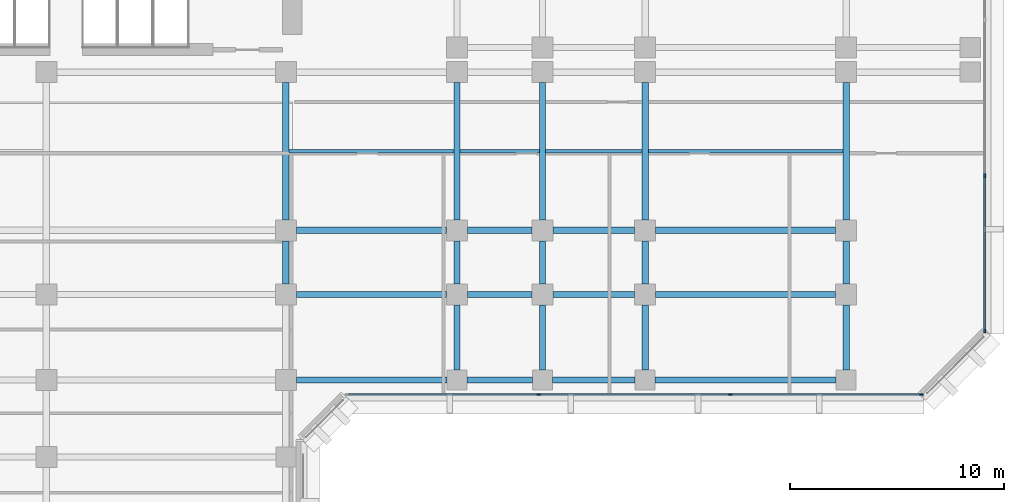
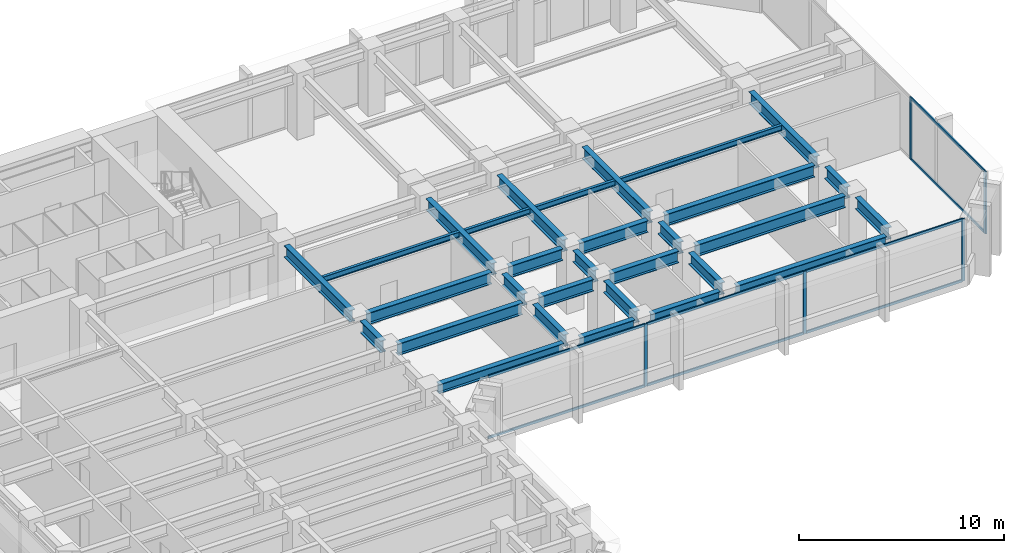
# One storey, part 3 of 13: 30 beams, 13 members, 2 elements without a shape of their own.
"""IFC4 building model written with IfcOpenShell, lengths in metres."""

from ifc_helpers import new_model, si_unit, direction, frame, origin, origin_2d, place, context, subcontext, project, spatial, rectangle, i_section, extrude, material, layer, layer_set, material_profile, profile_set, type_object, element, aggregate, save


model = new_model("IFC4")

# Units and contexts
model_context = context("Model", 3, precision=1e-05, world=origin(), true_north=direction((0.0, 1.0)))
body_context = subcontext(model_context, "Body", "Model", "MODEL_VIEW")
ifc_project = project(units=[si_unit("LENGTHUNIT", "METRE"), si_unit("AREAUNIT", "SQUARE_METRE"), si_unit("VOLUMEUNIT", "CUBIC_METRE"), si_unit("PLANEANGLEUNIT", "RADIAN"), si_unit("MASSUNIT", "GRAM", prefix="KILO")], contexts=[model_context])

# Site, building, storey
site_placement = place(None, origin())
site = spatial("IfcSite", under=ifc_project, at=site_placement, CompositionType="ELEMENT")
building_placement = place(site_placement, origin())
building = spatial("IfcBuilding", under=site, at=building_placement, Name="Kefirva Bronze Tower", CompositionType="ELEMENT")
storey_placement = place(building_placement, frame((0.0, 0.0, 85.800048828125)))
storey = spatial("IfcBuildingStorey", under=building, at=storey_placement, Name="L20", CompositionType="ELEMENT", Elevation=85.800048828125)

# Curtain wall, members
ifc_material_1 = material(Name="Bronze anodised aluminium", Category="aluminium")
ifc_layer = layer(ifc_material_1, 0.199951171875, Name="Bronze anodised aluminium")
ifc_layer_set = layer_set([ifc_layer], Name="Bronze anodised aluminium")
curtain_wall_type = type_object("IfcCurtainWallType", Name="Unitised Bronze Ribbon Curtain Wall Zone 1", PredefinedType="USERDEFINED", material=ifc_layer_set)
curtain_wall_1_placement = place(storey_placement, origin())
curtain_wall_1 = element("IfcCurtainWall", 1, at=curtain_wall_1_placement, inside=storey, type_object=curtain_wall_type, Name="L20 Curtain Wall 2", ObjectType="UNITISED CURTAIN WALL", PredefinedType="USERDEFINED")
ifc_material_profile_1 = material_profile(ifc_material_1, rectangle(XDim=0.074951171875, YDim=0.179931640625, at=origin_2d()), Name="ALU 75x180")
ifc_profile_set_1 = profile_set([ifc_material_profile_1], Name="Bronze anodised aluminium")
member_type_1 = type_object("IfcMemberType", Name="Bronze Mullion 75x180", PredefinedType="MULLION", material=ifc_profile_set_1)
member_1_placement = place(storey_placement, frame((35.018310546875, 18.1201171875, 0.0), z_axis=(0.0, 0.0, 1.0), x_axis=(0.0, 1.0, 0.0)))
member_1 = element("IfcMember", 2, at=member_1_placement, type_object=member_type_1, Name="CW-01 mullion 2", PredefinedType="MULLION", context=body_context, shape_type="SweptSolid", body=[
    extrude(rectangle(XDim=0.074951171875, YDim=0.179931640625, at=origin_2d()), origin(), (0.0, 0.0, 1.0), 3.7099609375),
])
member_2_placement = place(storey_placement, frame((43.981689453125, 18.1201171875, 0.0), z_axis=(0.0, 0.0, 1.0), x_axis=(0.0, 1.0, 0.0)))
member_2 = element("IfcMember", 3, at=member_2_placement, type_object=member_type_1, Name="CW-01 mullion 3", PredefinedType="MULLION", context=body_context, shape_type="SweptSolid", body=[
    extrude(rectangle(XDim=0.074951171875, YDim=0.179931640625, at=origin_2d()), origin(), (0.0, 0.0, 1.0), 3.7099609375),
])
member_3_placement = place(storey_placement, frame((52.907470703125, 18.1201171875, 0.0), z_axis=(0.0, 0.0, 1.0), x_axis=(0.0, 1.0, 0.0)))
member_3 = element("IfcMember", 4, at=member_3_placement, type_object=member_type_1, Name="CW-01 mullion 4", PredefinedType="MULLION", context=body_context, shape_type="SweptSolid", body=[
    extrude(rectangle(XDim=0.074951171875, YDim=0.179931640625, at=origin_2d()), origin(), (0.0, 0.0, 1.0), 3.7099609375),
])

curtain_wall_2_placement = place(storey_placement, origin())
curtain_wall_2 = element("IfcCurtainWall", 5, at=curtain_wall_2_placement, inside=storey, type_object=curtain_wall_type, Name="L20 Curtain Wall 3", ObjectType="UNITISED CURTAIN WALL", PredefinedType="USERDEFINED")
member_4_placement = place(storey_placement, frame((55.8798828125, 21.092529296875, 0.0), z_axis=(0.0, 0.0, 1.0), x_axis=(-1.0, 0.0, 0.0)))
member_4 = element("IfcMember", 6, at=member_4_placement, type_object=member_type_1, Name="CW-01 mullion 1", PredefinedType="MULLION", context=body_context, shape_type="SweptSolid", body=[
    extrude(rectangle(XDim=0.074951171875, YDim=0.179931640625, at=origin_2d()), origin(), (0.0, 0.0, 1.0), 3.7099609375),
])
member_5_placement = place(storey_placement, frame((55.8798828125, 28.3515625, 0.0), z_axis=(0.0, 0.0, 1.0), x_axis=(-1.0, 0.0, 0.0)))
member_5 = element("IfcMember", 7, at=member_5_placement, type_object=member_type_1, Name="CW-01 mullion 2", PredefinedType="MULLION", context=body_context, shape_type="SweptSolid", body=[
    extrude(rectangle(XDim=0.074951171875, YDim=0.179931640625, at=origin_2d()), origin(), (0.0, 0.0, 1.0), 3.7099609375),
])

# Member
ifc_material_profile_2 = material_profile(ifc_material_1, rectangle(XDim=0.074951171875, YDim=0.14990234375, at=origin_2d()), Name="ALU 75x150")
ifc_profile_set_2 = profile_set([ifc_material_profile_2], Name="Bronze anodised aluminium")
member_type_2 = type_object("IfcMemberType", Name="Bronze Transom 75x150", PredefinedType="USERDEFINED", material=ifc_profile_set_2)
member_6_placement = place(storey_placement, frame((26.1298828125, 18.1201171875, 0.037353515625), z_axis=(1.0, 0.0, 0.0), x_axis=(0.0, 1.0, 0.0)))
member_6 = element("IfcMember", 8, at=member_6_placement, type_object=member_type_2, Name="CW-01 transom 1.1", ObjectType="TRANSOM", PredefinedType="USERDEFINED", context=body_context, shape_type="SweptSolid", body=[
    extrude(rectangle(XDim=0.074951171875, YDim=0.14990234375, at=origin_2d()), origin(), (0.0, 0.0, 1.0), 8.850830078125),
])

member_7_placement = place(storey_placement, frame((26.1298828125, 18.1201171875, 3.67236328125), z_axis=(1.0, 0.0, 0.0), x_axis=(0.0, 1.0, 0.0)))
member_7 = element("IfcMember", 9, at=member_7_placement, type_object=member_type_2, Name="CW-01 transom 1.2", ObjectType="TRANSOM", PredefinedType="USERDEFINED", context=body_context, shape_type="SweptSolid", body=[
    extrude(rectangle(XDim=0.074951171875, YDim=0.14990234375, at=origin_2d()), origin(), (0.0, 0.0, 1.0), 8.850830078125),
])

member_8_placement = place(storey_placement, frame((35.055908203125, 18.1201171875, 0.037353515625), z_axis=(1.0, 0.0, 0.0), x_axis=(0.0, 1.0, 0.0)))
member_8 = element("IfcMember", 10, at=member_8_placement, type_object=member_type_2, Name="CW-01 transom 2.1", ObjectType="TRANSOM", PredefinedType="USERDEFINED", context=body_context, shape_type="SweptSolid", body=[
    extrude(rectangle(XDim=0.074951171875, YDim=0.14990234375, at=origin_2d()), origin(), (0.0, 0.0, 1.0), 8.88818359375),
])

member_9_placement = place(storey_placement, frame((35.055908203125, 18.1201171875, 3.67236328125), z_axis=(1.0, 0.0, 0.0), x_axis=(0.0, 1.0, 0.0)))
member_9 = element("IfcMember", 11, at=member_9_placement, type_object=member_type_2, Name="CW-01 transom 2.2", ObjectType="TRANSOM", PredefinedType="USERDEFINED", context=body_context, shape_type="SweptSolid", body=[
    extrude(rectangle(XDim=0.074951171875, YDim=0.14990234375, at=origin_2d()), origin(), (0.0, 0.0, 1.0), 8.88818359375),
])

member_10_placement = place(storey_placement, frame((44.019287109375, 18.1201171875, 0.037353515625), z_axis=(1.0, 0.0, 0.0), x_axis=(0.0, 1.0, 0.0)))
member_10 = element("IfcMember", 12, at=member_10_placement, type_object=member_type_2, Name="CW-01 transom 3.1", ObjectType="TRANSOM", PredefinedType="USERDEFINED", context=body_context, shape_type="SweptSolid", body=[
    extrude(rectangle(XDim=0.074951171875, YDim=0.14990234375, at=origin_2d()), origin(), (0.0, 0.0, 1.0), 8.850830078125),
])

member_11_placement = place(storey_placement, frame((44.019287109375, 18.1201171875, 3.67236328125), z_axis=(1.0, 0.0, 0.0), x_axis=(0.0, 1.0, 0.0)))
member_11 = element("IfcMember", 13, at=member_11_placement, type_object=member_type_2, Name="CW-01 transom 3.2", ObjectType="TRANSOM", PredefinedType="USERDEFINED", context=body_context, shape_type="SweptSolid", body=[
    extrude(rectangle(XDim=0.074951171875, YDim=0.14990234375, at=origin_2d()), origin(), (0.0, 0.0, 1.0), 8.850830078125),
])

aggregate(curtain_wall_1, [member_1, member_2, member_3, member_6, member_7, member_8, member_9, member_10, member_11])

member_12_placement = place(storey_placement, frame((55.8798828125, 21.1298828125, 0.037353515625), z_axis=(0.0, 1.0, 0.0), x_axis=(-1.0, 0.0, 0.0)))
member_12 = element("IfcMember", 14, at=member_12_placement, type_object=member_type_2, Name="CW-01 transom 1.1", ObjectType="TRANSOM", PredefinedType="USERDEFINED", context=body_context, shape_type="SweptSolid", body=[
    extrude(rectangle(XDim=0.074951171875, YDim=0.14990234375, at=origin_2d()), origin(), (0.0, 0.0, 1.0), 7.184326171875),
])

member_13_placement = place(storey_placement, frame((55.8798828125, 21.1298828125, 3.67236328125), z_axis=(0.0, 1.0, 0.0), x_axis=(-1.0, 0.0, 0.0)))
member_13 = element("IfcMember", 15, at=member_13_placement, type_object=member_type_2, Name="CW-01 transom 1.2", ObjectType="TRANSOM", PredefinedType="USERDEFINED", context=body_context, shape_type="SweptSolid", body=[
    extrude(rectangle(XDim=0.074951171875, YDim=0.14990234375, at=origin_2d()), origin(), (0.0, 0.0, 1.0), 7.184326171875),
])

aggregate(curtain_wall_2, [member_4, member_5, member_12, member_13])

# Beams
ifc_material_2 = material(Name="Steel S355", Category="steel")
ifc_material_profile_3 = material_profile(ifc_material_2, i_section(OverallWidth=0.159912109375, OverallDepth=0.330078125, WebThickness=0.007568359375, FlangeThickness=0.011474609375, at=origin_2d()), Name="IPE 330")
ifc_profile_set_3 = profile_set([ifc_material_profile_3], Name="Steel S355")
beam_type_1 = type_object("IfcBeamType", Name="Steel Floor Joist IPE 330", PredefinedType="JOIST", material=ifc_profile_set_3)
beam_1_placement = place(storey_placement, frame((23.35009765625, 29.5, 3.544921875), z_axis=(1.0, 0.0, 0.0), x_axis=(0.0, 1.0, 0.0)))
element("IfcBeam", 16, at=beam_1_placement, inside=storey, type_object=beam_type_1, Name="L20 JST-L20-23-295", PredefinedType="JOIST", context=body_context, shape_type="SweptSolid", body=[
    extrude(i_section(OverallWidth=0.159912109375, OverallDepth=0.330078125, WebThickness=0.007568359375, FlangeThickness=0.011474609375, at=origin_2d()), origin(), (0.0, 0.0, 1.0), 7.699951171875),
])
beam_2_placement = place(storey_placement, frame((31.35009765625, 29.5, 3.544921875), z_axis=(1.0, 0.0, 0.0), x_axis=(0.0, 1.0, 0.0)))
element("IfcBeam", 17, at=beam_2_placement, inside=storey, type_object=beam_type_1, Name="L20 JST-L20-31-295", PredefinedType="JOIST", context=body_context, shape_type="SweptSolid", body=[
    extrude(i_section(OverallWidth=0.159912109375, OverallDepth=0.330078125, WebThickness=0.007568359375, FlangeThickness=0.011474609375, at=origin_2d()), origin(), (0.0, 0.0, 1.0), 3.699951171875),
])
beam_3_placement = place(storey_placement, frame((35.35009765625, 29.5, 3.544921875), z_axis=(1.0, 0.0, 0.0), x_axis=(0.0, 1.0, 0.0)))
element("IfcBeam", 18, at=beam_3_placement, inside=storey, type_object=beam_type_1, Name="L20 JST-L20-35-295", PredefinedType="JOIST", context=body_context, shape_type="SweptSolid", body=[
    extrude(i_section(OverallWidth=0.159912109375, OverallDepth=0.330078125, WebThickness=0.007568359375, FlangeThickness=0.011474609375, at=origin_2d()), origin(), (0.0, 0.0, 1.0), 4.5),
])
beam_4_placement = place(storey_placement, frame((40.14990234375, 29.5, 3.544921875), z_axis=(1.0, 0.0, 0.0), x_axis=(0.0, 1.0, 0.0)))
element("IfcBeam", 19, at=beam_4_placement, inside=storey, type_object=beam_type_1, Name="L20 JST-L20-40-295", PredefinedType="JOIST", context=body_context, shape_type="SweptSolid", body=[
    extrude(i_section(OverallWidth=0.159912109375, OverallDepth=0.330078125, WebThickness=0.007568359375, FlangeThickness=0.011474609375, at=origin_2d()), origin(), (0.0, 0.0, 1.0), 9.10009765625),
])
ifc_material_profile_4 = material_profile(ifc_material_2, i_section(OverallWidth=0.300048828125, OverallDepth=0.699951171875, WebThickness=0.01708984375, FlangeThickness=0.031982421875, at=origin_2d()), Name="HEB 700")
ifc_profile_set_4 = profile_set([ifc_material_profile_4], Name="Steel S355")
beam_type_2 = type_object("IfcBeamType", Name="Steel Girder HEB 700", PredefinedType="USERDEFINED", material=ifc_profile_set_4)
beam_5_placement = place(storey_placement, frame((23.68994140625, 22.800048828125, 3.35986328125), z_axis=(1.0, 0.0, 0.0), x_axis=(0.0, 1.0, 0.0)))
element("IfcBeam", 20, at=beam_5_placement, inside=storey, type_object=beam_type_2, Name="L20 BM-L20-EW-23-228", ObjectType="GIRDER", PredefinedType="USERDEFINED", context=body_context, shape_type="SweptSolid", body=[
    extrude(i_section(OverallWidth=0.300048828125, OverallDepth=0.699951171875, WebThickness=0.01708984375, FlangeThickness=0.031982421875, at=origin_2d()), origin(), (0.0, 0.0, 1.0), 7.02001953125),
])
beam_6_placement = place(storey_placement, frame((31.68994140625, 22.800048828125, 3.35986328125), z_axis=(1.0, 0.0, 0.0), x_axis=(0.0, 1.0, 0.0)))
element("IfcBeam", 21, at=beam_6_placement, inside=storey, type_object=beam_type_2, Name="L20 BM-L20-EW-31-228", ObjectType="GIRDER", PredefinedType="USERDEFINED", context=body_context, shape_type="SweptSolid", body=[
    extrude(i_section(OverallWidth=0.300048828125, OverallDepth=0.699951171875, WebThickness=0.01708984375, FlangeThickness=0.031982421875, at=origin_2d()), origin(), (0.0, 0.0, 1.0), 3.02001953125),
])
beam_7_placement = place(storey_placement, frame((35.68994140625, 22.800048828125, 3.35986328125), z_axis=(1.0, 0.0, 0.0), x_axis=(0.0, 1.0, 0.0)))
element("IfcBeam", 22, at=beam_7_placement, inside=storey, type_object=beam_type_2, Name="L20 BM-L20-EW-35-228", ObjectType="GIRDER", PredefinedType="USERDEFINED", context=body_context, shape_type="SweptSolid", body=[
    extrude(i_section(OverallWidth=0.300048828125, OverallDepth=0.699951171875, WebThickness=0.01708984375, FlangeThickness=0.031982421875, at=origin_2d()), origin(), (0.0, 0.0, 1.0), 3.820068359375),
])
beam_8_placement = place(storey_placement, frame((40.489990234375, 22.800048828125, 3.35986328125), z_axis=(1.0, 0.0, 0.0), x_axis=(0.0, 1.0, 0.0)))
element("IfcBeam", 23, at=beam_8_placement, inside=storey, type_object=beam_type_2, Name="L20 BM-L20-EW-40-228", ObjectType="GIRDER", PredefinedType="USERDEFINED", context=body_context, shape_type="SweptSolid", body=[
    extrude(i_section(OverallWidth=0.300048828125, OverallDepth=0.699951171875, WebThickness=0.01708984375, FlangeThickness=0.031982421875, at=origin_2d()), origin(), (0.0, 0.0, 1.0), 8.419921875),
])
beam_9_placement = place(storey_placement, frame((23.68994140625, 25.800048828125, 3.35986328125), z_axis=(1.0, 0.0, 0.0), x_axis=(0.0, 1.0, 0.0)))
element("IfcBeam", 24, at=beam_9_placement, inside=storey, type_object=beam_type_2, Name="L20 BM-L20-EW-23-258", ObjectType="GIRDER", PredefinedType="USERDEFINED", context=body_context, shape_type="SweptSolid", body=[
    extrude(i_section(OverallWidth=0.300048828125, OverallDepth=0.699951171875, WebThickness=0.01708984375, FlangeThickness=0.031982421875, at=origin_2d()), origin(), (0.0, 0.0, 1.0), 7.02001953125),
])
beam_10_placement = place(storey_placement, frame((31.68994140625, 25.800048828125, 3.35986328125), z_axis=(1.0, 0.0, 0.0), x_axis=(0.0, 1.0, 0.0)))
element("IfcBeam", 25, at=beam_10_placement, inside=storey, type_object=beam_type_2, Name="L20 BM-L20-EW-31-258", ObjectType="GIRDER", PredefinedType="USERDEFINED", context=body_context, shape_type="SweptSolid", body=[
    extrude(i_section(OverallWidth=0.300048828125, OverallDepth=0.699951171875, WebThickness=0.01708984375, FlangeThickness=0.031982421875, at=origin_2d()), origin(), (0.0, 0.0, 1.0), 3.02001953125),
])
beam_11_placement = place(storey_placement, frame((35.68994140625, 25.800048828125, 3.35986328125), z_axis=(1.0, 0.0, 0.0), x_axis=(0.0, 1.0, 0.0)))
element("IfcBeam", 26, at=beam_11_placement, inside=storey, type_object=beam_type_2, Name="L20 BM-L20-EW-35-258", ObjectType="GIRDER", PredefinedType="USERDEFINED", context=body_context, shape_type="SweptSolid", body=[
    extrude(i_section(OverallWidth=0.300048828125, OverallDepth=0.699951171875, WebThickness=0.01708984375, FlangeThickness=0.031982421875, at=origin_2d()), origin(), (0.0, 0.0, 1.0), 3.820068359375),
])
beam_12_placement = place(storey_placement, frame((40.489990234375, 25.800048828125, 3.35986328125), z_axis=(1.0, 0.0, 0.0), x_axis=(0.0, 1.0, 0.0)))
element("IfcBeam", 27, at=beam_12_placement, inside=storey, type_object=beam_type_2, Name="L20 BM-L20-EW-40-258", ObjectType="GIRDER", PredefinedType="USERDEFINED", context=body_context, shape_type="SweptSolid", body=[
    extrude(i_section(OverallWidth=0.300048828125, OverallDepth=0.699951171875, WebThickness=0.01708984375, FlangeThickness=0.031982421875, at=origin_2d()), origin(), (0.0, 0.0, 1.0), 8.419921875),
])
beam_13_placement = place(storey_placement, frame((23.199951171875, 23.2900390625, 3.35986328125), z_axis=(0.0, 1.0, 0.0), x_axis=(-1.0, 0.0, 0.0)))
element("IfcBeam", 28, at=beam_13_placement, inside=storey, type_object=beam_type_2, Name="L20 BM-L20-NS-232-22", ObjectType="GIRDER", PredefinedType="USERDEFINED", context=body_context, shape_type="SweptSolid", body=[
    extrude(i_section(OverallWidth=0.300048828125, OverallDepth=0.699951171875, WebThickness=0.01708984375, FlangeThickness=0.031982421875, at=origin_2d()), origin(), (0.0, 0.0, 1.0), 2.02001953125),
])
beam_14_placement = place(storey_placement, frame((23.199951171875, 26.2900390625, 3.35986328125), z_axis=(0.0, 1.0, 0.0), x_axis=(-1.0, 0.0, 0.0)))
element("IfcBeam", 29, at=beam_14_placement, inside=storey, type_object=beam_type_2, Name="L20 BM-L20-NS-232-25", ObjectType="GIRDER", PredefinedType="USERDEFINED", context=body_context, shape_type="SweptSolid", body=[
    extrude(i_section(OverallWidth=0.300048828125, OverallDepth=0.699951171875, WebThickness=0.01708984375, FlangeThickness=0.031982421875, at=origin_2d()), origin(), (0.0, 0.0, 1.0), 6.419921875),
])
beam_15_placement = place(storey_placement, frame((31.199951171875, 19.27001953125, 3.35986328125), z_axis=(0.0, 1.0, 0.0), x_axis=(-1.0, 0.0, 0.0)))
element("IfcBeam", 30, at=beam_15_placement, inside=storey, type_object=beam_type_2, Name="L20 BM-L20-NS-312-18", ObjectType="GIRDER", PredefinedType="USERDEFINED", context=body_context, shape_type="SweptSolid", body=[
    extrude(i_section(OverallWidth=0.300048828125, OverallDepth=0.699951171875, WebThickness=0.01708984375, FlangeThickness=0.031982421875, at=origin_2d()), origin(), (0.0, 0.0, 1.0), 3.0400390625),
])
beam_16_placement = place(storey_placement, frame((31.199951171875, 23.2900390625, 3.35986328125), z_axis=(0.0, 1.0, 0.0), x_axis=(-1.0, 0.0, 0.0)))
element("IfcBeam", 31, at=beam_16_placement, inside=storey, type_object=beam_type_2, Name="L20 BM-L20-NS-312-22", ObjectType="GIRDER", PredefinedType="USERDEFINED", context=body_context, shape_type="SweptSolid", body=[
    extrude(i_section(OverallWidth=0.300048828125, OverallDepth=0.699951171875, WebThickness=0.01708984375, FlangeThickness=0.031982421875, at=origin_2d()), origin(), (0.0, 0.0, 1.0), 2.02001953125),
])
beam_17_placement = place(storey_placement, frame((31.199951171875, 26.2900390625, 3.35986328125), z_axis=(0.0, 1.0, 0.0), x_axis=(-1.0, 0.0, 0.0)))
element("IfcBeam", 32, at=beam_17_placement, inside=storey, type_object=beam_type_2, Name="L20 BM-L20-NS-312-25", ObjectType="GIRDER", PredefinedType="USERDEFINED", context=body_context, shape_type="SweptSolid", body=[
    extrude(i_section(OverallWidth=0.300048828125, OverallDepth=0.699951171875, WebThickness=0.01708984375, FlangeThickness=0.031982421875, at=origin_2d()), origin(), (0.0, 0.0, 1.0), 6.419921875),
])
beam_18_placement = place(storey_placement, frame((35.199951171875, 19.27001953125, 3.35986328125), z_axis=(0.0, 1.0, 0.0), x_axis=(-1.0, 0.0, 0.0)))
element("IfcBeam", 33, at=beam_18_placement, inside=storey, type_object=beam_type_2, Name="L20 BM-L20-NS-352-18", ObjectType="GIRDER", PredefinedType="USERDEFINED", context=body_context, shape_type="SweptSolid", body=[
    extrude(i_section(OverallWidth=0.300048828125, OverallDepth=0.699951171875, WebThickness=0.01708984375, FlangeThickness=0.031982421875, at=origin_2d()), origin(), (0.0, 0.0, 1.0), 3.0400390625),
])
beam_19_placement = place(storey_placement, frame((35.199951171875, 23.2900390625, 3.35986328125), z_axis=(0.0, 1.0, 0.0), x_axis=(-1.0, 0.0, 0.0)))
element("IfcBeam", 34, at=beam_19_placement, inside=storey, type_object=beam_type_2, Name="L20 BM-L20-NS-352-22", ObjectType="GIRDER", PredefinedType="USERDEFINED", context=body_context, shape_type="SweptSolid", body=[
    extrude(i_section(OverallWidth=0.300048828125, OverallDepth=0.699951171875, WebThickness=0.01708984375, FlangeThickness=0.031982421875, at=origin_2d()), origin(), (0.0, 0.0, 1.0), 2.02001953125),
])
beam_20_placement = place(storey_placement, frame((35.199951171875, 26.2900390625, 3.35986328125), z_axis=(0.0, 1.0, 0.0), x_axis=(-1.0, 0.0, 0.0)))
element("IfcBeam", 35, at=beam_20_placement, inside=storey, type_object=beam_type_2, Name="L20 BM-L20-NS-352-25", ObjectType="GIRDER", PredefinedType="USERDEFINED", context=body_context, shape_type="SweptSolid", body=[
    extrude(i_section(OverallWidth=0.300048828125, OverallDepth=0.699951171875, WebThickness=0.01708984375, FlangeThickness=0.031982421875, at=origin_2d()), origin(), (0.0, 0.0, 1.0), 6.419921875),
])
beam_21_placement = place(storey_placement, frame((40.0, 19.27001953125, 3.35986328125), z_axis=(0.0, 1.0, 0.0), x_axis=(-1.0, 0.0, 0.0)))
element("IfcBeam", 36, at=beam_21_placement, inside=storey, type_object=beam_type_2, Name="L20 BM-L20-NS-400-18", ObjectType="GIRDER", PredefinedType="USERDEFINED", context=body_context, shape_type="SweptSolid", body=[
    extrude(i_section(OverallWidth=0.300048828125, OverallDepth=0.699951171875, WebThickness=0.01708984375, FlangeThickness=0.031982421875, at=origin_2d()), origin(), (0.0, 0.0, 1.0), 3.0400390625),
])
beam_22_placement = place(storey_placement, frame((40.0, 23.2900390625, 3.35986328125), z_axis=(0.0, 1.0, 0.0), x_axis=(-1.0, 0.0, 0.0)))
element("IfcBeam", 37, at=beam_22_placement, inside=storey, type_object=beam_type_2, Name="L20 BM-L20-NS-400-22", ObjectType="GIRDER", PredefinedType="USERDEFINED", context=body_context, shape_type="SweptSolid", body=[
    extrude(i_section(OverallWidth=0.300048828125, OverallDepth=0.699951171875, WebThickness=0.01708984375, FlangeThickness=0.031982421875, at=origin_2d()), origin(), (0.0, 0.0, 1.0), 2.02001953125),
])
beam_23_placement = place(storey_placement, frame((40.0, 26.2900390625, 3.35986328125), z_axis=(0.0, 1.0, 0.0), x_axis=(-1.0, 0.0, 0.0)))
element("IfcBeam", 38, at=beam_23_placement, inside=storey, type_object=beam_type_2, Name="L20 BM-L20-NS-400-25", ObjectType="GIRDER", PredefinedType="USERDEFINED", context=body_context, shape_type="SweptSolid", body=[
    extrude(i_section(OverallWidth=0.300048828125, OverallDepth=0.699951171875, WebThickness=0.01708984375, FlangeThickness=0.031982421875, at=origin_2d()), origin(), (0.0, 0.0, 1.0), 6.419921875),
])
beam_24_placement = place(storey_placement, frame((49.39990234375, 19.27001953125, 3.35986328125), z_axis=(0.0, 1.0, 0.0), x_axis=(-1.0, 0.0, 0.0)))
element("IfcBeam", 39, at=beam_24_placement, inside=storey, type_object=beam_type_2, Name="L20 BM-L20-NS-494-18", ObjectType="GIRDER", PredefinedType="USERDEFINED", context=body_context, shape_type="SweptSolid", body=[
    extrude(i_section(OverallWidth=0.300048828125, OverallDepth=0.699951171875, WebThickness=0.01708984375, FlangeThickness=0.031982421875, at=origin_2d()), origin(), (0.0, 0.0, 1.0), 3.0400390625),
])
beam_25_placement = place(storey_placement, frame((49.39990234375, 23.2900390625, 3.35986328125), z_axis=(0.0, 1.0, 0.0), x_axis=(-1.0, 0.0, 0.0)))
element("IfcBeam", 40, at=beam_25_placement, inside=storey, type_object=beam_type_2, Name="L20 BM-L20-NS-494-22", ObjectType="GIRDER", PredefinedType="USERDEFINED", context=body_context, shape_type="SweptSolid", body=[
    extrude(i_section(OverallWidth=0.300048828125, OverallDepth=0.699951171875, WebThickness=0.01708984375, FlangeThickness=0.031982421875, at=origin_2d()), origin(), (0.0, 0.0, 1.0), 2.02001953125),
])
beam_26_placement = place(storey_placement, frame((49.39990234375, 26.2900390625, 3.35986328125), z_axis=(0.0, 1.0, 0.0), x_axis=(-1.0, 0.0, 0.0)))
element("IfcBeam", 41, at=beam_26_placement, inside=storey, type_object=beam_type_2, Name="L20 BM-L20-NS-494-25", ObjectType="GIRDER", PredefinedType="USERDEFINED", context=body_context, shape_type="SweptSolid", body=[
    extrude(i_section(OverallWidth=0.300048828125, OverallDepth=0.699951171875, WebThickness=0.01708984375, FlangeThickness=0.031982421875, at=origin_2d()), origin(), (0.0, 0.0, 1.0), 6.419921875),
])
ifc_material_profile_5 = material_profile(ifc_material_2, i_section(OverallWidth=0.300048828125, OverallDepth=0.550048828125, WebThickness=0.014892578125, FlangeThickness=0.029052734375, at=origin_2d()), Name="HEB 550")
ifc_profile_set_5 = profile_set([ifc_material_profile_5], Name="Steel S355")
beam_type_3 = type_object("IfcBeamType", Name="Steel Spandrel HEB 550 Ext", PredefinedType="SPANDREL", material=ifc_profile_set_5)
beam_27_placement = place(storey_placement, frame((23.68994140625, 18.800048828125, 3.43505859375), z_axis=(1.0, 0.0, 0.0), x_axis=(0.0, 1.0, 0.0)))
element("IfcBeam", 42, at=beam_27_placement, inside=storey, type_object=beam_type_3, Name="L20 BM-L20-EW-23-188", PredefinedType="SPANDREL", context=body_context, shape_type="SweptSolid", body=[
    extrude(i_section(OverallWidth=0.300048828125, OverallDepth=0.550048828125, WebThickness=0.014892578125, FlangeThickness=0.029052734375, at=origin_2d()), origin(), (0.0, 0.0, 1.0), 7.0400390625),
])
beam_28_placement = place(storey_placement, frame((31.669921875, 18.800048828125, 3.43505859375), z_axis=(1.0, 0.0, 0.0), x_axis=(0.0, 1.0, 0.0)))
element("IfcBeam", 43, at=beam_28_placement, inside=storey, type_object=beam_type_3, Name="L20 BM-L20-EW-31-188", PredefinedType="SPANDREL", context=body_context, shape_type="SweptSolid", body=[
    extrude(i_section(OverallWidth=0.300048828125, OverallDepth=0.550048828125, WebThickness=0.014892578125, FlangeThickness=0.029052734375, at=origin_2d()), origin(), (0.0, 0.0, 1.0), 3.06005859375),
])
beam_29_placement = place(storey_placement, frame((35.669921875, 18.800048828125, 3.43505859375), z_axis=(1.0, 0.0, 0.0), x_axis=(0.0, 1.0, 0.0)))
element("IfcBeam", 44, at=beam_29_placement, inside=storey, type_object=beam_type_3, Name="L20 BM-L20-EW-35-188", PredefinedType="SPANDREL", context=body_context, shape_type="SweptSolid", body=[
    extrude(i_section(OverallWidth=0.300048828125, OverallDepth=0.550048828125, WebThickness=0.014892578125, FlangeThickness=0.029052734375, at=origin_2d()), origin(), (0.0, 0.0, 1.0), 3.860107421875),
])
beam_30_placement = place(storey_placement, frame((40.469970703125, 18.800048828125, 3.43505859375), z_axis=(1.0, 0.0, 0.0), x_axis=(0.0, 1.0, 0.0)))
element("IfcBeam", 45, at=beam_30_placement, inside=storey, type_object=beam_type_3, Name="L20 BM-L20-EW-40-188", PredefinedType="SPANDREL", context=body_context, shape_type="SweptSolid", body=[
    extrude(i_section(OverallWidth=0.300048828125, OverallDepth=0.550048828125, WebThickness=0.014892578125, FlangeThickness=0.029052734375, at=origin_2d()), origin(), (0.0, 0.0, 1.0), 8.4599609375),
])

save(model, "model.ifc")
